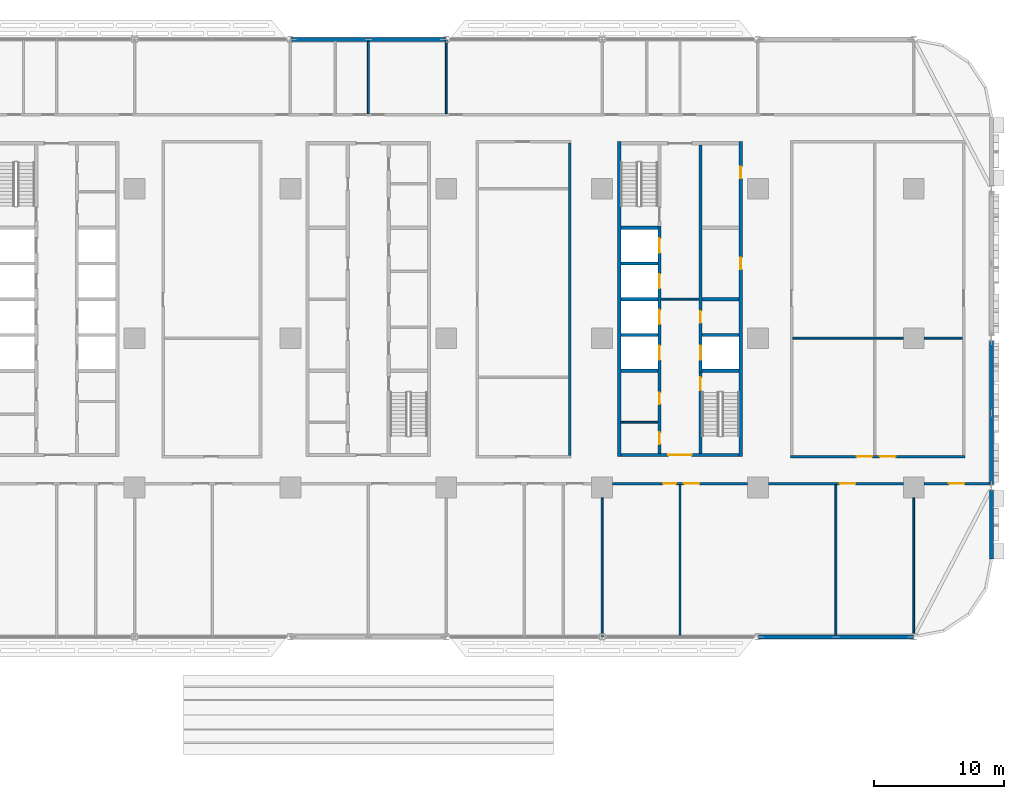
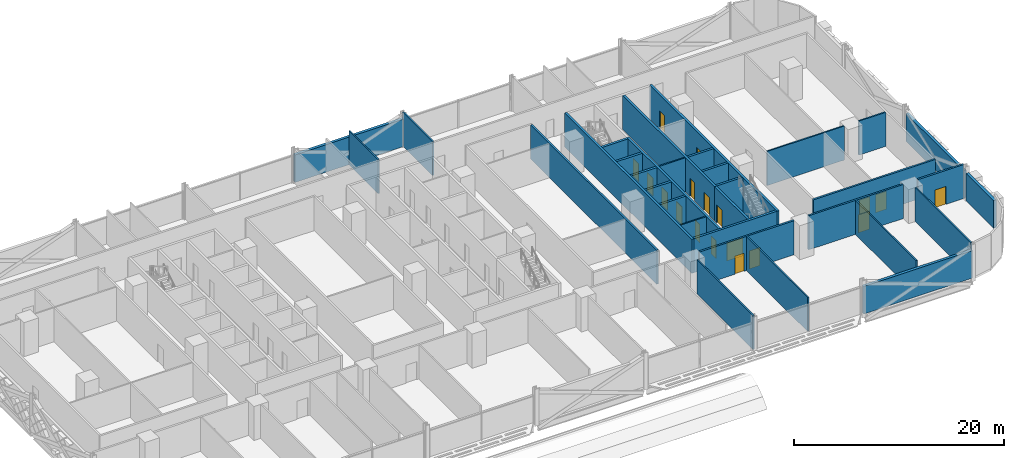
# One storey, part 13 of 26: 33 walls, 18 doors, 18 openings.
"""IFC4 building model written with IfcOpenShell, lengths in metres."""

from ifc_helpers import new_model, si_unit, direction, frame, frame_2d, origin, place, context, subcontext, project, spatial, rectangle, extrude, material, layer, layer_set, type_object, element, fill, save


model = new_model("IFC4")

# Units and contexts
model_context = context("Model", 3, precision=1e-05, world=origin(), true_north=direction((0.0, 1.0)))
body_context = subcontext(model_context, "Body", "Model", "MODEL_VIEW")
ifc_project = project(units=[si_unit("LENGTHUNIT", "METRE"), si_unit("AREAUNIT", "SQUARE_METRE"), si_unit("VOLUMEUNIT", "CUBIC_METRE"), si_unit("PLANEANGLEUNIT", "RADIAN"), si_unit("MASSUNIT", "GRAM", prefix="KILO")], contexts=[model_context])

# Site, building, storey
site_placement = place(None, origin())
site = spatial("IfcSite", under=ifc_project, at=site_placement, CompositionType="ELEMENT")
building_placement = place(site_placement, origin())
building = spatial("IfcBuilding", under=site, at=building_placement, Name="Mahtab Terrace Research Tower", CompositionType="ELEMENT")
storey_placement = place(building_placement, frame((0.0, 0.0, 15.800048828125)))
storey = spatial("IfcBuildingStorey", under=building, at=storey_placement, Name="L03", CompositionType="ELEMENT", Elevation=15.800048828125)

# Walls
ifc_material_1 = material(Name="Gypsum board partition")
ifc_layer_1 = layer(ifc_material_1, 0.14990234375)
ifc_layer_set_1 = layer_set([ifc_layer_1], Name="Core partition 150")
wall_type_1 = type_object("IfcWallType", Name="Core partition 150", PredefinedType="PARTITIONING", material=ifc_layer_set_1)
wall_1_placement = place(storey_placement, frame((22.550048828125, 3.0, 0.0), z_axis=(0.0, 0.0, 1.0), x_axis=(1.0, 0.0, 0.0)))
element("IfcWall", 1, at=wall_1_placement, inside=storey, type_object=wall_type_1, Name="Core wall C ffl", PredefinedType="PARTITIONING", context=body_context, shape_type="SweptSolid", body=[
    extrude(rectangle(XDim=2.89990234375, YDim=0.14990234375, at=frame_2d((1.449951171875, 0.0))), origin(), (0.0, 0.0, 1.0), 3.9599609375),
])
wall_2_placement = place(storey_placement, frame((19.449951171875, -6.47509765625, 0.0), z_axis=(0.0, 0.0, 1.0), x_axis=(1.0, 0.0, 0.0)))
element("IfcWall", 2, at=wall_2_placement, inside=storey, type_object=wall_type_1, Name="Core wall C pWS-948", PredefinedType="PARTITIONING", context=body_context, shape_type="SweptSolid", body=[
    extrude(rectangle(XDim=2.85009765625, YDim=0.14990234375, at=frame_2d((1.425048828125, 0.0))), origin(), (0.0, 0.0, 1.0), 3.9599609375),
])
ifc_material_2 = material(Name="Concrete C70/85", Category="concrete")
ifc_layer_2 = layer(ifc_material_2, 0.25)
ifc_layer_set_2 = layer_set([ifc_layer_2], Name="Core wall 250")
wall_type_2 = type_object("IfcWallType", Name="Core wall 250", PredefinedType="SOLIDWALL", material=ifc_layer_set_2)
wall_3_placement = place(storey_placement, frame((19.324951171875, 15.125, 0.0), z_axis=(0.0, 0.0, 1.0), x_axis=(0.0, -1.0, 0.0)))
element("IfcWall", 3, at=wall_3_placement, inside=storey, type_object=wall_type_2, Name="Core wall C outerW", PredefinedType="SOLIDWALL", context=body_context, shape_type="SweptSolid", body=[
    extrude(rectangle(XDim=24.25, YDim=0.25, at=frame_2d((12.125, 0.0))), origin(), (0.0, 0.0, 1.0), 3.9599609375),
])

# Wall, openings, doors
wall_4_placement = place(storey_placement, frame((28.675048828125, -9.125, 0.0), z_axis=(0.0, 0.0, 1.0), x_axis=(0.0, 1.0, 0.0)))
wall_4 = element("IfcWall", 4, at=wall_4_placement, inside=storey, type_object=wall_type_2, Name="Core wall C outerE", PredefinedType="SOLIDWALL", context=body_context, shape_type="SweptSolid", body=[
    extrude(rectangle(XDim=24.25, YDim=0.25, at=frame_2d((12.125, 0.0))), origin(), (0.0, 0.0, 1.0), 3.9599609375),
])
opening_1_placement = place(wall_4_placement, frame((14.425048828125, 0.0, 0.0)))
opening_1 = element("IfcOpeningElement", 5, at=opening_1_placement, cuts=wall_4, Name="Opening C-R2", PredefinedType="OPENING", context=body_context, shape_type="SweptSolid", body=[
    extrude(rectangle(XDim=0.89990234375, YDim=2.10009765625, at=frame_2d((0.449951171875, 1.050048828125))), frame((0.0, 0.135009765625, 0.0), z_axis=(0.0, -1.0, 0.0), x_axis=(1.0, 0.0, 0.0)), (0.0, 0.0, 1.0), 0.27001953125),
])
opening_2_placement = place(wall_4_placement, frame((21.425048828125, 0.0, 0.0)))
opening_2 = element("IfcOpeningElement", 6, at=opening_2_placement, cuts=wall_4, Name="Opening C-R5", PredefinedType="OPENING", context=body_context, shape_type="SweptSolid", body=[
    extrude(rectangle(XDim=0.89990234375, YDim=2.10009765625, at=frame_2d((0.449951171875, 1.050048828125))), frame((0.0, 0.135009765625, 0.0), z_axis=(0.0, -1.0, 0.0), x_axis=(1.0, 0.0, 0.0)), (0.0, 0.0, 1.0), 0.27001953125),
])
ifc_material_3 = material(Name="Steel fire door", Category="steel")
door_type_1 = type_object("IfcDoorType", Name="Room door 900x2100 1 HR", OperationType="NOTDEFINED", PredefinedType="DOOR", material=ifc_material_3)
door_1_placement = place(opening_1_placement, origin())
door_1 = element("IfcDoor", 7, at=door_1_placement, inside=storey, type_object=door_type_1, Name="Plant room door", OperationType="SINGLE_SWING_RIGHT", OverallHeight=2.10009765625, OverallWidth=0.89990234375, PredefinedType="DOOR", context=body_context, shape_type="SweptSolid", body=[
    extrude(rectangle(XDim=0.89990234375, YDim=2.10009765625, at=frame_2d((0.449951171875, 1.050048828125))), frame((0.0, 0.02490234375, 0.0), z_axis=(0.0, -1.0, 0.0), x_axis=(1.0, 0.0, 0.0)), (0.0, 0.0, 1.0), 0.050048828125),
])
fill(opening_1, door_1)
door_2_placement = place(opening_2_placement, origin())
door_2 = element("IfcDoor", 8, at=door_2_placement, inside=storey, type_object=door_type_1, Name="Gas cylinder store door", OperationType="SINGLE_SWING_LEFT", OverallHeight=2.10009765625, OverallWidth=0.89990234375, PredefinedType="DOOR", context=body_context, shape_type="SweptSolid", body=[
    extrude(rectangle(XDim=0.89990234375, YDim=2.10009765625, at=frame_2d((0.449951171875, 1.050048828125))), frame((0.0, 0.02490234375, 0.0), z_axis=(0.0, -1.0, 0.0), x_axis=(1.0, 0.0, 0.0)), (0.0, 0.0, 1.0), 0.050048828125),
])
fill(opening_2, door_2)

# Wall, opening, door
wall_5_placement = place(storey_placement, frame((28.550048828125, -9.0, 0.0), z_axis=(0.0, 0.0, 1.0), x_axis=(-1.0, 0.0, 0.0)))
wall_5 = element("IfcWall", 9, at=wall_5_placement, inside=storey, type_object=wall_type_2, Name="Core wall C endS", PredefinedType="SOLIDWALL", context=body_context, shape_type="SweptSolid", body=[
    extrude(rectangle(XDim=9.10009765625, YDim=0.25, at=frame_2d((4.550048828125, 0.0))), origin(), (0.0, 0.0, 1.0), 3.9599609375),
])
opening_3_placement = place(wall_5_placement, frame((3.64990234375, 0.0, 0.0)))
opening_3 = element("IfcOpeningElement", 10, at=opening_3_placement, cuts=wall_5, Name="Opening C-S1", PredefinedType="OPENING", context=body_context, shape_type="SweptSolid", body=[
    extrude(rectangle(XDim=1.800048828125, YDim=2.10009765625, at=frame_2d((0.89990234375, 1.050048828125))), frame((0.0, 0.135009765625, 0.0), z_axis=(0.0, -1.0, 0.0), x_axis=(1.0, 0.0, 0.0)), (0.0, 0.0, 1.0), 0.27001953125),
])
door_type_2 = type_object("IfcDoorType", Name="Lobby double door 1800x2100 1 HR", OperationType="DOUBLE_DOOR_SINGLE_SWING", PredefinedType="DOOR", material=ifc_material_3)
door_3_placement = place(opening_3_placement, origin())
door_3 = element("IfcDoor", 11, at=door_3_placement, inside=storey, type_object=door_type_2, Name="Core entrance door C S", OperationType="DOUBLE_DOOR_SINGLE_SWING", OverallHeight=2.10009765625, OverallWidth=1.800048828125, PredefinedType="DOOR", context=body_context, shape_type="SweptSolid", body=[
    extrude(rectangle(XDim=1.800048828125, YDim=2.10009765625, at=frame_2d((0.89990234375, 1.050048828125))), frame((0.0, 0.02490234375, 0.0), z_axis=(0.0, -1.0, 0.0), x_axis=(1.0, 0.0, 0.0)), (0.0, 0.0, 1.0), 0.050048828125),
])
fill(opening_3, door_3)

# Wall, openings, doors
wall_6_placement = place(storey_placement, frame((22.425048828125, -8.875, 0.0), z_axis=(0.0, 0.0, 1.0), x_axis=(0.0, 1.0, 0.0)))
wall_6 = element("IfcWall", 12, at=wall_6_placement, inside=storey, type_object=wall_type_2, Name="Core wall C innerWSL", PredefinedType="SOLIDWALL", context=body_context, shape_type="SweptSolid", body=[
    extrude(rectangle(XDim=17.5, YDim=0.25, at=frame_2d((8.75, 0.0))), origin(), (0.0, 0.0, 1.0), 3.9599609375),
])
opening_4_placement = place(wall_6_placement, frame((7.199951171875, 0.0, 0.0)))
opening_4 = element("IfcOpeningElement", 13, at=opening_4_placement, cuts=wall_6, Name="Opening LD17-L03", PredefinedType="OPENING", context=body_context, shape_type="SweptSolid", body=[
    extrude(rectangle(XDim=1.10009765625, YDim=2.10009765625, at=frame_2d((0.550048828125, 1.050048828125))), frame((0.0, 0.135009765625, 0.0), z_axis=(0.0, -1.0, 0.0), x_axis=(1.0, 0.0, 0.0)), (0.0, 0.0, 1.0), 0.27001953125),
])
opening_5_placement = place(wall_6_placement, frame((9.949951171875, 0.0, 0.0)))
opening_5 = element("IfcOpeningElement", 14, at=opening_5_placement, cuts=wall_6, Name="Opening LD18-L03", PredefinedType="OPENING", context=body_context, shape_type="SweptSolid", body=[
    extrude(rectangle(XDim=1.10009765625, YDim=2.10009765625, at=frame_2d((0.550048828125, 1.050048828125))), frame((0.0, 0.135009765625, 0.0), z_axis=(0.0, -1.0, 0.0), x_axis=(1.0, 0.0, 0.0)), (0.0, 0.0, 1.0), 0.27001953125),
])
opening_6_placement = place(wall_6_placement, frame((12.699951171875, 0.0, 0.0)))
opening_6 = element("IfcOpeningElement", 15, at=opening_6_placement, cuts=wall_6, Name="Opening LD19-L03", PredefinedType="OPENING", context=body_context, shape_type="SweptSolid", body=[
    extrude(rectangle(XDim=1.10009765625, YDim=2.10009765625, at=frame_2d((0.550048828125, 1.050048828125))), frame((0.0, 0.135009765625, 0.0), z_axis=(0.0, -1.0, 0.0), x_axis=(1.0, 0.0, 0.0)), (0.0, 0.0, 1.0), 0.27001953125),
])
opening_7_placement = place(wall_6_placement, frame((15.449951171875, 0.0, 0.0)))
opening_7 = element("IfcOpeningElement", 16, at=opening_7_placement, cuts=wall_6, Name="Opening LD20-L03", PredefinedType="OPENING", context=body_context, shape_type="SweptSolid", body=[
    extrude(rectangle(XDim=1.10009765625, YDim=2.10009765625, at=frame_2d((0.550048828125, 1.050048828125))), frame((0.0, 0.135009765625, 0.0), z_axis=(0.0, -1.0, 0.0), x_axis=(1.0, 0.0, 0.0)), (0.0, 0.0, 1.0), 0.27001953125),
])
opening_8_placement = place(wall_6_placement, frame((0.71240234375, 0.0, 0.0)))
opening_8 = element("IfcOpeningElement", 17, at=opening_8_placement, cuts=wall_6, Name="Opening C-R3", PredefinedType="OPENING", context=body_context, shape_type="SweptSolid", body=[
    extrude(rectangle(XDim=0.89990234375, YDim=2.10009765625, at=frame_2d((0.449951171875, 1.050048828125))), frame((0.0, 0.135009765625, 0.0), z_axis=(0.0, -1.0, 0.0), x_axis=(1.0, 0.0, 0.0)), (0.0, 0.0, 1.0), 0.27001953125),
])
opening_9_placement = place(wall_6_placement, frame((3.78759765625, 0.0, 0.0)))
opening_9 = element("IfcOpeningElement", 18, at=opening_9_placement, cuts=wall_6, Name="Opening C-R4", PredefinedType="OPENING", context=body_context, shape_type="SweptSolid", body=[
    extrude(rectangle(XDim=0.89990234375, YDim=2.10009765625, at=frame_2d((0.449951171875, 1.050048828125))), frame((0.0, 0.135009765625, 0.0), z_axis=(0.0, -1.0, 0.0), x_axis=(1.0, 0.0, 0.0)), (0.0, 0.0, 1.0), 0.27001953125),
])
ifc_material_4 = material(Name="Stainless steel AISI 304", Category="steel")
door_type_3 = type_object("IfcDoorType", Name="Landing door 1100x2100", OperationType="DOUBLE_DOOR_SLIDING", PredefinedType="DOOR", material=ifc_material_4)
door_4_placement = place(opening_4_placement, origin())
door_4 = element("IfcDoor", 19, at=door_4_placement, inside=storey, type_object=door_type_3, Name="Landing door SV1 L03", OperationType="DOUBLE_DOOR_SLIDING", OverallHeight=2.10009765625, OverallWidth=1.10009765625, PredefinedType="DOOR", context=body_context, shape_type="SweptSolid", body=[
    extrude(rectangle(XDim=1.10009765625, YDim=2.10009765625, at=frame_2d((0.550048828125, 1.050048828125))), frame((0.0, 0.02490234375, 0.0), z_axis=(0.0, -1.0, 0.0), x_axis=(1.0, 0.0, 0.0)), (0.0, 0.0, 1.0), 0.050048828125),
])
fill(opening_4, door_4)
door_5_placement = place(opening_5_placement, origin())
door_5 = element("IfcDoor", 20, at=door_5_placement, inside=storey, type_object=door_type_3, Name="Landing door SV2 L03", OperationType="DOUBLE_DOOR_SLIDING", OverallHeight=2.10009765625, OverallWidth=1.10009765625, PredefinedType="DOOR", context=body_context, shape_type="SweptSolid", body=[
    extrude(rectangle(XDim=1.10009765625, YDim=2.10009765625, at=frame_2d((0.550048828125, 1.050048828125))), frame((0.0, 0.02490234375, 0.0), z_axis=(0.0, -1.0, 0.0), x_axis=(1.0, 0.0, 0.0)), (0.0, 0.0, 1.0), 0.050048828125),
])
fill(opening_5, door_5)
door_6_placement = place(opening_6_placement, origin())
door_6 = element("IfcDoor", 21, at=door_6_placement, inside=storey, type_object=door_type_3, Name="Landing door FF1 L03", OperationType="DOUBLE_DOOR_SLIDING", OverallHeight=2.10009765625, OverallWidth=1.10009765625, PredefinedType="DOOR", context=body_context, shape_type="SweptSolid", body=[
    extrude(rectangle(XDim=1.10009765625, YDim=2.10009765625, at=frame_2d((0.550048828125, 1.050048828125))), frame((0.0, 0.02490234375, 0.0), z_axis=(0.0, -1.0, 0.0), x_axis=(1.0, 0.0, 0.0)), (0.0, 0.0, 1.0), 0.050048828125),
])
fill(opening_6, door_6)
door_7_placement = place(opening_7_placement, origin())
door_7 = element("IfcDoor", 22, at=door_7_placement, inside=storey, type_object=door_type_3, Name="Landing door FF2 L03", OperationType="DOUBLE_DOOR_SLIDING", OverallHeight=2.10009765625, OverallWidth=1.10009765625, PredefinedType="DOOR", context=body_context, shape_type="SweptSolid", body=[
    extrude(rectangle(XDim=1.10009765625, YDim=2.10009765625, at=frame_2d((0.550048828125, 1.050048828125))), frame((0.0, 0.02490234375, 0.0), z_axis=(0.0, -1.0, 0.0), x_axis=(1.0, 0.0, 0.0)), (0.0, 0.0, 1.0), 0.050048828125),
])
fill(opening_7, door_7)
door_8_placement = place(opening_8_placement, origin())
door_8 = element("IfcDoor", 23, at=door_8_placement, inside=storey, type_object=door_type_1, Name="Accessible WC door", OperationType="SINGLE_SWING_LEFT", OverallHeight=2.10009765625, OverallWidth=0.89990234375, PredefinedType="DOOR", context=body_context, shape_type="SweptSolid", body=[
    extrude(rectangle(XDim=0.89990234375, YDim=2.10009765625, at=frame_2d((0.449951171875, 1.050048828125))), frame((0.0, 0.02490234375, 0.0), z_axis=(0.0, -1.0, 0.0), x_axis=(1.0, 0.0, 0.0)), (0.0, 0.0, 1.0), 0.050048828125),
])
fill(opening_8, door_8)
door_9_placement = place(opening_9_placement, origin())
door_9 = element("IfcDoor", 24, at=door_9_placement, inside=storey, type_object=door_type_1, Name="WC block door", OperationType="SINGLE_SWING_RIGHT", OverallHeight=2.10009765625, OverallWidth=0.89990234375, PredefinedType="DOOR", context=body_context, shape_type="SweptSolid", body=[
    extrude(rectangle(XDim=0.89990234375, YDim=2.10009765625, at=frame_2d((0.449951171875, 1.050048828125))), frame((0.0, 0.02490234375, 0.0), z_axis=(0.0, -1.0, 0.0), x_axis=(1.0, 0.0, 0.0)), (0.0, 0.0, 1.0), 0.050048828125),
])
fill(opening_9, door_9)

# Wall, opening, door
wall_7_placement = place(storey_placement, frame((25.574951171875, -8.875, 0.0), z_axis=(0.0, 0.0, 1.0), x_axis=(0.0, 1.0, 0.0)))
wall_7 = element("IfcWall", 25, at=wall_7_placement, inside=storey, type_object=wall_type_2, Name="Core wall C innerES", PredefinedType="SOLIDWALL", context=body_context, shape_type="SweptSolid", body=[
    extrude(rectangle(XDim=6.25, YDim=0.25, at=frame_2d((3.125, 0.0))), origin(), (0.0, 0.0, 1.0), 3.9599609375),
])
opening_10_placement = place(wall_7_placement, frame((4.85009765625, 0.0, 0.0)))
opening_10 = element("IfcOpeningElement", 26, at=opening_10_placement, cuts=wall_7, Name="Opening C-ST4", PredefinedType="OPENING", context=body_context, shape_type="SweptSolid", body=[
    extrude(rectangle(XDim=1.0, YDim=2.10009765625, at=frame_2d((0.5, 1.050048828125))), frame((0.0, 0.135009765625, 0.0), z_axis=(0.0, -1.0, 0.0), x_axis=(1.0, 0.0, 0.0)), (0.0, 0.0, 1.0), 0.27001953125),
])
door_type_4 = type_object("IfcDoorType", Name="Stair door 1000x2100 1.5 HR", OperationType="NOTDEFINED", PredefinedType="DOOR", material=ifc_material_3)
door_10_placement = place(opening_10_placement, origin())
door_10 = element("IfcDoor", 27, at=door_10_placement, inside=storey, type_object=door_type_4, Name="Stair door ST4 L03", OperationType="SINGLE_SWING_LEFT", OverallHeight=2.10009765625, OverallWidth=1.0, PredefinedType="DOOR", context=body_context, shape_type="SweptSolid", body=[
    extrude(rectangle(XDim=1.0, YDim=2.10009765625, at=frame_2d((0.5, 1.050048828125))), frame((0.0, 0.02490234375, 0.0), z_axis=(0.0, -1.0, 0.0), x_axis=(1.0, 0.0, 0.0)), (0.0, 0.0, 1.0), 0.050048828125),
])
fill(opening_10, door_10)

# Wall, openings, doors
wall_8_placement = place(storey_placement, frame((25.574951171875, 14.875, 0.0), z_axis=(0.0, 0.0, 1.0), x_axis=(0.0, -1.0, 0.0)))
wall_8 = element("IfcWall", 28, at=wall_8_placement, inside=storey, type_object=wall_type_2, Name="Core wall C innerELN", PredefinedType="SOLIDWALL", context=body_context, shape_type="SweptSolid", body=[
    extrude(rectangle(XDim=17.5, YDim=0.25, at=frame_2d((8.75, 0.0))), origin(), (0.0, 0.0, 1.0), 3.9599609375),
])
opening_11_placement = place(wall_8_placement, frame((15.449951171875, 0.0, 0.0)))
opening_11 = element("IfcOpeningElement", 29, at=opening_11_placement, cuts=wall_8, Name="Opening LD21-L03", PredefinedType="OPENING", context=body_context, shape_type="SweptSolid", body=[
    extrude(rectangle(XDim=1.10009765625, YDim=2.10009765625, at=frame_2d((0.550048828125, 1.050048828125))), frame((0.0, 0.135009765625, 0.0), z_axis=(0.0, -1.0, 0.0), x_axis=(1.0, 0.0, 0.0)), (0.0, 0.0, 1.0), 0.27001953125),
])
opening_12_placement = place(wall_8_placement, frame((12.800048828125, 0.0, 0.0)))
opening_12 = element("IfcOpeningElement", 30, at=opening_12_placement, cuts=wall_8, Name="Opening C-R1", PredefinedType="OPENING", context=body_context, shape_type="SweptSolid", body=[
    extrude(rectangle(XDim=0.89990234375, YDim=2.10009765625, at=frame_2d((0.449951171875, 1.050048828125))), frame((0.0, 0.135009765625, 0.0), z_axis=(0.0, -1.0, 0.0), x_axis=(1.0, 0.0, 0.0)), (0.0, 0.0, 1.0), 0.27001953125),
])
door_11_placement = place(opening_11_placement, origin())
door_11 = element("IfcDoor", 31, at=door_11_placement, inside=storey, type_object=door_type_3, Name="Landing door SV3 L03", OperationType="DOUBLE_DOOR_SLIDING", OverallHeight=2.10009765625, OverallWidth=1.10009765625, PredefinedType="DOOR", context=body_context, shape_type="SweptSolid", body=[
    extrude(rectangle(XDim=1.10009765625, YDim=2.10009765625, at=frame_2d((0.550048828125, 1.050048828125))), frame((0.0, 0.02490234375, 0.0), z_axis=(0.0, -1.0, 0.0), x_axis=(1.0, 0.0, 0.0)), (0.0, 0.0, 1.0), 0.050048828125),
])
fill(opening_11, door_11)
door_12_placement = place(opening_12_placement, origin())
door_12 = element("IfcDoor", 32, at=door_12_placement, inside=storey, type_object=door_type_1, Name="Plant room door", OperationType="SINGLE_SWING_LEFT", OverallHeight=2.10009765625, OverallWidth=0.89990234375, PredefinedType="DOOR", context=body_context, shape_type="SweptSolid", body=[
    extrude(rectangle(XDim=0.89990234375, YDim=2.10009765625, at=frame_2d((0.449951171875, 1.050048828125))), frame((0.0, 0.02490234375, 0.0), z_axis=(0.0, -1.0, 0.0), x_axis=(1.0, 0.0, 0.0)), (0.0, 0.0, 1.0), 0.050048828125),
])
fill(opening_12, door_12)

# Walls
for number, where, z_axis, x_axis, name in (
    (33, (19.449951171875, -2.5, 0.0), (0.0, 0.0, 1.0), (1.0, 0.0, 0.0), "Core wall C divW0"),
    (34, (19.449951171875, 0.25, 0.0), (0.0, 0.0, 1.0), (1.0, 0.0, 0.0), "Core wall C divW1"),
    (35, (19.449951171875, 3.0, 0.0), (0.0, 0.0, 1.0), (1.0, 0.0, 0.0), "Core wall C divW2"),
    (36, (19.449951171875, 5.75, 0.0), (0.0, 0.0, 1.0), (1.0, 0.0, 0.0), "Core wall C divW3"),
    (37, (19.449951171875, 8.5, 0.0), (0.0, 0.0, 1.0), (1.0, 0.0, 0.0), "Core wall C divW4"),
    (38, (25.699951171875, -2.5, 0.0), (0.0, 0.0, 1.0), (1.0, 0.0, 0.0), "Core wall C divE0"),
    (39, (25.699951171875, 0.25, 0.0), (0.0, 0.0, 1.0), (1.0, 0.0, 0.0), "Core wall C divE1"),
    (40, (25.699951171875, 3.0, 0.0), (0.0, 0.0, 1.0), (1.0, 0.0, 0.0), "Core wall C divE2"),
):
    element("IfcWall", number, at=place(storey_placement, frame(where, z_axis=z_axis, x_axis=x_axis)), inside=storey, type_object=wall_type_2, Name=name, PredefinedType="SOLIDWALL", context=body_context, shape_type="SweptSolid", body=[
        extrude(rectangle(XDim=2.85009765625, YDim=0.25, at=frame_2d((1.425048828125, 0.0))), origin(), (0.0, 0.0, 1.0), 3.9599609375),
    ])
ifc_material_5 = material(Name="Black aluminium cladding panel", Category="aluminium")
ifc_layer_3 = layer(ifc_material_5, 0.300048828125)
ifc_layer_set_3 = layer_set([ifc_layer_3], Name="Opaque facade wall 300")
wall_type_3 = type_object("IfcWallType", Name="Opaque facade wall 300", PredefinedType="NOTDEFINED", material=ifc_layer_set_3)
for number, where, z_axis, x_axis, name in (
    (41, (5.97216796875, 23.0, 0.0), (0.0, 0.0, 1.0), (-1.0, 0.0, 0.0), "Opaque facade wall L03 N6"),
    (42, (30.02783203125, -23.0, 0.0), (0.0, 0.0, 1.0), (1.0, 0.0, 0.0), "Opaque facade wall L03 S28"),
):
    element("IfcWall", number, at=place(storey_placement, frame(where, z_axis=z_axis, x_axis=x_axis)), inside=storey, type_object=wall_type_3, Name=name, PredefinedType="NOTDEFINED", context=body_context, shape_type="SweptSolid", body=[
        extrude(rectangle(XDim=11.9443359375, YDim=0.300048828125, at=frame_2d((5.97216796875, 0.0))), origin(), (0.0, 0.0, 1.0), 3.203125),
    ])
wall_9_placement = place(storey_placement, frame((48.0, -17.0, 0.0), z_axis=(0.0, 0.0, 1.0), x_axis=(0.0, 1.0, 0.0)))
element("IfcWall", 43, at=wall_9_placement, inside=storey, type_object=wall_type_3, Name="Opaque facade wall L03 E33", PredefinedType="NOTDEFINED", context=body_context, shape_type="SweptSolid", body=[
    extrude(rectangle(XDim=5.2509765625, YDim=0.300048828125, at=frame_2d((2.62548828125, 0.0))), origin(), (0.0, 0.0, 1.0), 3.203125),
])
wall_10_placement = place(storey_placement, frame((48.0, -11.2509765625, 0.0), z_axis=(0.0, 0.0, 1.0), x_axis=(0.0, 1.0, 0.0)))
element("IfcWall", 44, at=wall_10_placement, inside=storey, type_object=wall_type_3, Name="Opaque facade wall L03 E34", PredefinedType="NOTDEFINED", context=body_context, shape_type="SweptSolid", body=[
    extrude(rectangle(XDim=11.001953125, YDim=0.300048828125, at=frame_2d((5.5009765625, 0.0))), origin(), (0.0, 0.0, 1.0), 3.203125),
])

# Wall, openings, doors
ifc_material_6 = material(Name="Gypsum board corridor wall on steel studs", Category="steel")
ifc_layer_4 = layer(ifc_material_6, 0.199951171875)
ifc_layer_set_4 = layer_set([ifc_layer_4], Name="WALL CORRIDOR 200")
wall_type_4 = type_object("IfcWallType", Name="WALL CORRIDOR 200", PredefinedType="PARTITIONING", material=ifc_layer_set_4)
wall_11_placement = place(storey_placement, frame((18.800048828125, -11.199951171875, 0.0), z_axis=(0.0, 0.0, 1.0), x_axis=(1.0, 0.0, 0.0)))
wall_11 = element("IfcWall", 45, at=wall_11_placement, inside=storey, type_object=wall_type_4, Name="L03-W007", PredefinedType="PARTITIONING", context=body_context, shape_type="SweptSolid", body=[
    extrude(rectangle(XDim=10.39990234375, YDim=0.199951171875, at=frame_2d((5.199951171875, 0.0))), origin(), (0.0, 0.0, 1.0), 3.9599609375),
])
opening_13_placement = place(wall_11_placement, frame((3.89990234375, 0.0, 0.0)))
opening_13 = element("IfcOpeningElement", 46, at=opening_13_placement, cuts=wall_11, Name="Opening L03-112", PredefinedType="OPENING", context=body_context, shape_type="SweptSolid", body=[
    extrude(rectangle(XDim=1.0, YDim=2.10009765625, at=frame_2d((0.5, 1.050048828125))), frame((0.0, 0.10986328125, 0.0), z_axis=(0.0, -1.0, 0.0), x_axis=(1.0, 0.0, 0.0)), (0.0, 0.0, 1.0), 0.219970703125),
])
opening_14_placement = place(wall_11_placement, frame((5.5, 0.0, 0.0)))
opening_14 = element("IfcOpeningElement", 47, at=opening_14_placement, cuts=wall_11, Name="Opening L03-113", PredefinedType="OPENING", context=body_context, shape_type="SweptSolid", body=[
    extrude(rectangle(XDim=1.199951171875, YDim=2.10009765625, at=frame_2d((0.60009765625, 1.050048828125))), frame((0.0, 0.10986328125, 0.0), z_axis=(0.0, -1.0, 0.0), x_axis=(1.0, 0.0, 0.0)), (0.0, 0.0, 1.0), 0.219970703125),
])
ifc_material_7 = material(Name="Timber door leaf in steel frame", Category="steel")
door_type_5 = type_object("IfcDoorType", Name="DOOR 1000X2100 FD30S", OperationType="SINGLE_SWING_LEFT", PredefinedType="DOOR", material=ifc_material_7)
door_13_placement = place(opening_13_placement, origin())
door_13 = element("IfcDoor", 48, at=door_13_placement, inside=storey, type_object=door_type_5, Name="Door L03-112", OperationType="SINGLE_SWING_RIGHT", OverallHeight=2.10009765625, OverallWidth=1.0, PredefinedType="DOOR", context=body_context, shape_type="SweptSolid", body=[
    extrude(rectangle(XDim=1.0, YDim=2.10009765625, at=frame_2d((0.5, 1.050048828125))), frame((0.0, 0.02490234375, 0.0), z_axis=(0.0, -1.0, 0.0), x_axis=(1.0, 0.0, 0.0)), (0.0, 0.0, 1.0), 0.050048828125),
])
fill(opening_13, door_13)
door_type_6 = type_object("IfcDoorType", Name="DOOR 1200X2100 FD30S", OperationType="SINGLE_SWING_LEFT", PredefinedType="DOOR", material=ifc_material_7)
door_14_placement = place(opening_14_placement, origin())
door_14 = element("IfcDoor", 49, at=door_14_placement, inside=storey, type_object=door_type_6, Name="Door L03-113", OperationType="SINGLE_SWING_LEFT", OverallHeight=2.10009765625, OverallWidth=1.199951171875, PredefinedType="DOOR", context=body_context, shape_type="SweptSolid", body=[
    extrude(rectangle(XDim=1.199951171875, YDim=2.10009765625, at=frame_2d((0.60009765625, 1.050048828125))), frame((0.0, 0.02490234375, 0.0), z_axis=(0.0, -1.0, 0.0), x_axis=(1.0, 0.0, 0.0)), (0.0, 0.0, 1.0), 0.050048828125),
])
fill(opening_14, door_14)

# Wall, opening, door
wall_12_placement = place(storey_placement, frame((30.800048828125, -11.199951171875, 0.0), z_axis=(0.0, 0.0, 1.0), x_axis=(1.0, 0.0, 0.0)))
wall_12 = element("IfcWall", 50, at=wall_12_placement, inside=storey, type_object=wall_type_4, Name="L03-W008", PredefinedType="PARTITIONING", context=body_context, shape_type="SweptSolid", body=[
    extrude(rectangle(XDim=10.39990234375, YDim=0.199951171875, at=frame_2d((5.199951171875, 0.0))), origin(), (0.0, 0.0, 1.0), 3.9599609375),
])
opening_15_placement = place(wall_12_placement, frame((5.5, 0.0, 0.0)))
opening_15 = element("IfcOpeningElement", 51, at=opening_15_placement, cuts=wall_12, Name="Opening L03-114", PredefinedType="OPENING", context=body_context, shape_type="SweptSolid", body=[
    extrude(rectangle(XDim=1.199951171875, YDim=2.10009765625, at=frame_2d((0.60009765625, 1.050048828125))), frame((0.0, 0.10986328125, 0.0), z_axis=(0.0, -1.0, 0.0), x_axis=(1.0, 0.0, 0.0)), (0.0, 0.0, 1.0), 0.219970703125),
])
door_15_placement = place(opening_15_placement, origin())
door_15 = element("IfcDoor", 52, at=door_15_placement, inside=storey, type_object=door_type_6, Name="Door L03-114", OperationType="SINGLE_SWING_LEFT", OverallHeight=2.10009765625, OverallWidth=1.199951171875, PredefinedType="DOOR", context=body_context, shape_type="SweptSolid", body=[
    extrude(rectangle(XDim=1.199951171875, YDim=2.10009765625, at=frame_2d((0.60009765625, 1.050048828125))), frame((0.0, 0.02490234375, 0.0), z_axis=(0.0, -1.0, 0.0), x_axis=(1.0, 0.0, 0.0)), (0.0, 0.0, 1.0), 0.050048828125),
])
fill(opening_15, door_15)

wall_13_placement = place(storey_placement, frame((42.800048828125, -11.199951171875, 0.0), z_axis=(0.0, 0.0, 1.0), x_axis=(1.0, 0.0, 0.0)))
wall_13 = element("IfcWall", 53, at=wall_13_placement, inside=storey, type_object=wall_type_4, Name="L03-W009", PredefinedType="PARTITIONING", context=body_context, shape_type="SweptSolid", body=[
    extrude(rectangle(XDim=5.050048828125, YDim=0.199951171875, at=frame_2d((2.52490234375, 0.0))), origin(), (0.0, 0.0, 1.0), 3.9599609375),
])
opening_16_placement = place(wall_13_placement, frame((1.89990234375, 0.0, 0.0)))
opening_16 = element("IfcOpeningElement", 54, at=opening_16_placement, cuts=wall_13, Name="Opening L03-115", PredefinedType="OPENING", context=body_context, shape_type="SweptSolid", body=[
    extrude(rectangle(XDim=1.199951171875, YDim=2.10009765625, at=frame_2d((0.60009765625, 1.050048828125))), frame((0.0, 0.10986328125, 0.0), z_axis=(0.0, -1.0, 0.0), x_axis=(1.0, 0.0, 0.0)), (0.0, 0.0, 1.0), 0.219970703125),
])
door_16_placement = place(opening_16_placement, origin())
door_16 = element("IfcDoor", 55, at=door_16_placement, inside=storey, type_object=door_type_6, Name="Door L03-115", OperationType="SINGLE_SWING_RIGHT", OverallHeight=2.10009765625, OverallWidth=1.199951171875, PredefinedType="DOOR", context=body_context, shape_type="SweptSolid", body=[
    extrude(rectangle(XDim=1.199951171875, YDim=2.10009765625, at=frame_2d((0.60009765625, 1.050048828125))), frame((0.0, 0.02490234375, 0.0), z_axis=(0.0, -1.0, 0.0), x_axis=(1.0, 0.0, 0.0)), (0.0, 0.0, 1.0), 0.050048828125),
])
fill(opening_16, door_16)

# Wall, openings, doors
wall_14_placement = place(storey_placement, frame((32.5, -9.125, 0.0), z_axis=(0.0, 0.0, 1.0), x_axis=(1.0, 0.0, 0.0)))
wall_14 = element("IfcWall", 56, at=wall_14_placement, inside=storey, type_object=wall_type_4, Name="L03-W013", PredefinedType="PARTITIONING", context=body_context, shape_type="SweptSolid", body=[
    extrude(rectangle(XDim=13.449951171875, YDim=0.199951171875, at=frame_2d((6.72509765625, 0.0))), origin(), (0.0, 0.0, 1.0), 3.9599609375),
])
opening_17_placement = place(wall_14_placement, frame((5.10009765625, 0.0, 0.0)))
opening_17 = element("IfcOpeningElement", 57, at=opening_17_placement, cuts=wall_14, Name="Opening L03-120", PredefinedType="OPENING", context=body_context, shape_type="SweptSolid", body=[
    extrude(rectangle(XDim=1.199951171875, YDim=2.10009765625, at=frame_2d((0.60009765625, 1.050048828125))), frame((0.0, 0.10986328125, 0.0), z_axis=(0.0, -1.0, 0.0), x_axis=(1.0, 0.0, 0.0)), (0.0, 0.0, 1.0), 0.219970703125),
])
opening_18_placement = place(wall_14_placement, frame((6.89990234375, 0.0, 0.0)))
opening_18 = element("IfcOpeningElement", 58, at=opening_18_placement, cuts=wall_14, Name="Opening L03-121", PredefinedType="OPENING", context=body_context, shape_type="SweptSolid", body=[
    extrude(rectangle(XDim=1.199951171875, YDim=2.10009765625, at=frame_2d((0.60009765625, 1.050048828125))), frame((0.0, 0.10986328125, 0.0), z_axis=(0.0, -1.0, 0.0), x_axis=(1.0, 0.0, 0.0)), (0.0, 0.0, 1.0), 0.219970703125),
])
door_17_placement = place(opening_17_placement, origin())
door_17 = element("IfcDoor", 59, at=door_17_placement, inside=storey, type_object=door_type_6, Name="Door L03-120", OperationType="SINGLE_SWING_LEFT", OverallHeight=2.10009765625, OverallWidth=1.199951171875, PredefinedType="DOOR", context=body_context, shape_type="SweptSolid", body=[
    extrude(rectangle(XDim=1.199951171875, YDim=2.10009765625, at=frame_2d((0.60009765625, 1.050048828125))), frame((0.0, 0.02490234375, 0.0), z_axis=(0.0, -1.0, 0.0), x_axis=(1.0, 0.0, 0.0)), (0.0, 0.0, 1.0), 0.050048828125),
])
fill(opening_17, door_17)
door_18_placement = place(opening_18_placement, origin())
door_18 = element("IfcDoor", 60, at=door_18_placement, inside=storey, type_object=door_type_6, Name="Door L03-121", OperationType="SINGLE_SWING_RIGHT", OverallHeight=2.10009765625, OverallWidth=1.199951171875, PredefinedType="DOOR", context=body_context, shape_type="SweptSolid", body=[
    extrude(rectangle(XDim=1.199951171875, YDim=2.10009765625, at=frame_2d((0.60009765625, 1.050048828125))), frame((0.0, 0.02490234375, 0.0), z_axis=(0.0, -1.0, 0.0), x_axis=(1.0, 0.0, 0.0)), (0.0, 0.0, 1.0), 0.050048828125),
])
fill(opening_18, door_18)

# Walls
wall_15_placement = place(storey_placement, frame((15.5, -9.02490234375, 0.0), z_axis=(0.0, 0.0, 1.0), x_axis=(0.0, 1.0, 0.0)))
element("IfcWall", 61, at=wall_15_placement, inside=storey, type_object=wall_type_4, Name="L03-W052", PredefinedType="PARTITIONING", context=body_context, shape_type="SweptSolid", body=[
    extrude(rectangle(XDim=24.0498046875, YDim=0.199951171875, at=frame_2d((12.02490234375, 0.0))), origin(), (0.0, 0.0, 1.0), 3.9599609375),
])
ifc_material_8 = material(Name="Gypsum board partition on steel studs", Category="steel")
ifc_layer_5 = layer(ifc_material_8, 0.14990234375)
ifc_layer_set_5 = layer_set([ifc_layer_5], Name="WALL PARTITION 150")
wall_type_5 = type_object("IfcWallType", Name="WALL PARTITION 150", PredefinedType="PARTITIONING", material=ifc_layer_set_5)
wall_16_placement = place(storey_placement, frame((32.699951171875, 0.0, 0.0), z_axis=(0.0, 0.0, 1.0), x_axis=(1.0, 0.0, 0.0)))
element("IfcWall", 62, at=wall_16_placement, inside=storey, type_object=wall_type_5, Name="L03-W017", PredefinedType="PARTITIONING", context=body_context, shape_type="SweptSolid", body=[
    extrude(rectangle(XDim=8.5, YDim=0.14990234375, at=frame_2d((4.25, 0.0))), origin(), (0.0, 0.0, 1.0), 3.9599609375),
])
wall_17_placement = place(storey_placement, frame((42.800048828125, 0.0, 0.0), z_axis=(0.0, 0.0, 1.0), x_axis=(1.0, 0.0, 0.0)))
element("IfcWall", 63, at=wall_17_placement, inside=storey, type_object=wall_type_5, Name="L03-W018", PredefinedType="PARTITIONING", context=body_context, shape_type="SweptSolid", body=[
    extrude(rectangle(XDim=2.949951171875, YDim=0.14990234375, at=frame_2d((1.47509765625, 0.0))), origin(), (0.0, 0.0, 1.0), 3.9599609375),
])
wall_18_placement = place(storey_placement, frame((0.0, 17.300048828125, 0.0), z_axis=(0.0, 0.0, 1.0), x_axis=(0.0, 1.0, 0.0)))
element("IfcWall", 64, at=wall_18_placement, inside=storey, type_object=wall_type_5, Name="L03-W046", PredefinedType="PARTITIONING", context=body_context, shape_type="SweptSolid", body=[
    extrude(rectangle(XDim=5.550048828125, YDim=0.14990234375, at=frame_2d((2.77490234375, 0.0))), origin(), (0.0, 0.0, 1.0), 3.9599609375),
])
wall_19_placement = place(storey_placement, frame((6.0, 17.300048828125, 0.0), z_axis=(0.0, 0.0, 1.0), x_axis=(0.0, 1.0, 0.0)))
element("IfcWall", 65, at=wall_19_placement, inside=storey, type_object=wall_type_5, Name="L03-W048", PredefinedType="PARTITIONING", context=body_context, shape_type="SweptSolid", body=[
    extrude(rectangle(XDim=5.675048828125, YDim=0.14990234375, at=frame_2d((2.83740234375, 0.0))), origin(), (0.0, 0.0, 1.0), 3.9599609375),
])
wall_20_placement = place(storey_placement, frame((18.0, -22.97509765625, 0.0), z_axis=(0.0, 0.0, 1.0), x_axis=(0.0, 1.0, 0.0)))
element("IfcWall", 66, at=wall_20_placement, inside=storey, type_object=wall_type_5, Name="L03-W053", PredefinedType="PARTITIONING", context=body_context, shape_type="SweptSolid", body=[
    extrude(rectangle(XDim=10.675048828125, YDim=0.14990234375, at=frame_2d((5.33740234375, 0.0))), origin(), (0.0, 0.0, 1.0), 3.9599609375),
])
wall_21_placement = place(storey_placement, frame((24.0, -22.97509765625, 0.0), z_axis=(0.0, 0.0, 1.0), x_axis=(0.0, 1.0, 0.0)))
element("IfcWall", 67, at=wall_21_placement, inside=storey, type_object=wall_type_5, Name="L03-W056", PredefinedType="PARTITIONING", context=body_context, shape_type="SweptSolid", body=[
    extrude(rectangle(XDim=11.675048828125, YDim=0.14990234375, at=frame_2d((5.83740234375, 0.0))), origin(), (0.0, 0.0, 1.0), 3.9599609375),
])
wall_22_placement = place(storey_placement, frame((36.0, -22.85009765625, 0.0), z_axis=(0.0, 0.0, 1.0), x_axis=(0.0, 1.0, 0.0)))
element("IfcWall", 68, at=wall_22_placement, inside=storey, type_object=wall_type_5, Name="L03-W060", PredefinedType="PARTITIONING", context=body_context, shape_type="SweptSolid", body=[
    extrude(rectangle(XDim=11.550048828125, YDim=0.14990234375, at=frame_2d((5.77490234375, 0.0))), origin(), (0.0, 0.0, 1.0), 3.9599609375),
])
wall_23_placement = place(storey_placement, frame((42.0, -22.84716796875, 0.0), z_axis=(0.0, 0.0, 1.0), x_axis=(0.0, 1.0, 0.0)))
element("IfcWall", 69, at=wall_23_placement, inside=storey, type_object=wall_type_5, Name="L03-W062", PredefinedType="PARTITIONING", context=body_context, shape_type="SweptSolid", body=[
    extrude(rectangle(XDim=10.547119140625, YDim=0.14990234375, at=frame_2d((5.2734375, 0.0))), origin(), (0.0, 0.0, 1.0), 3.9599609375),
])

save(model, "model.ifc")
